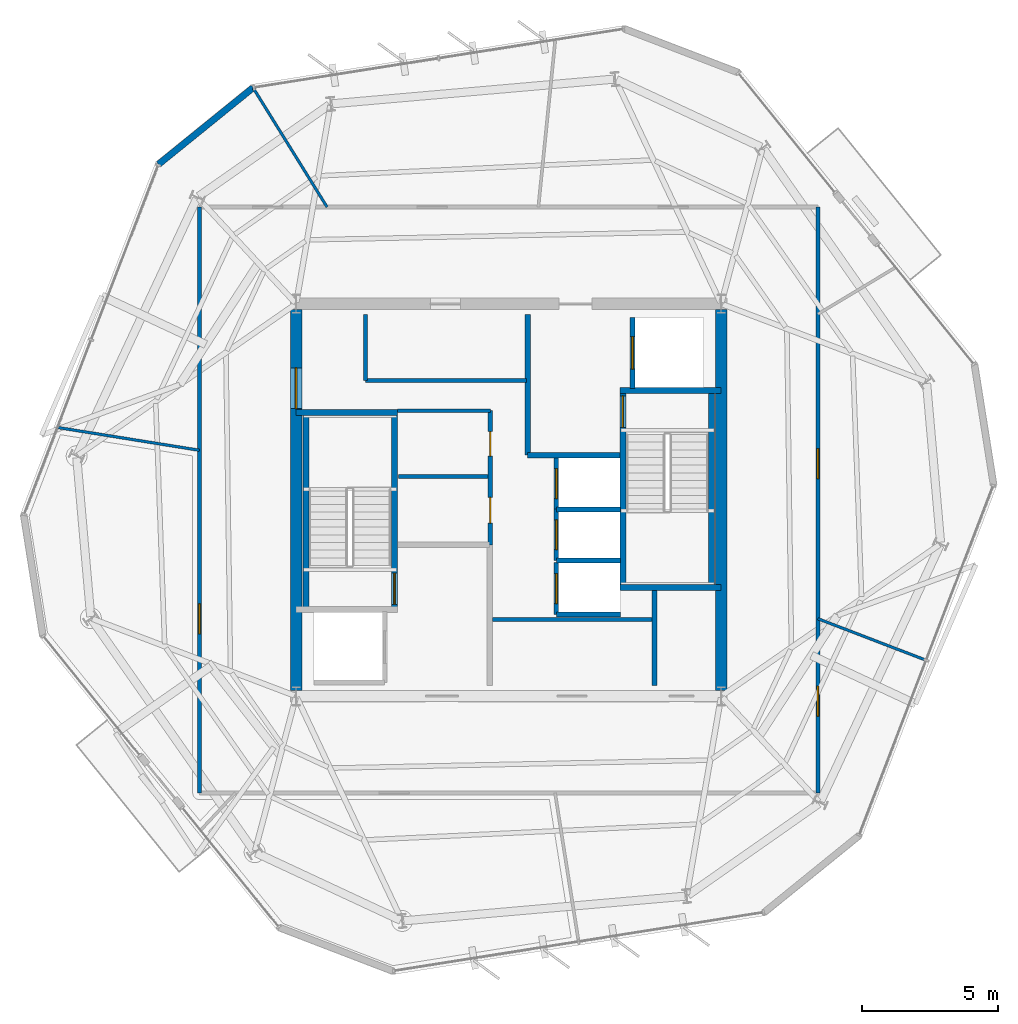
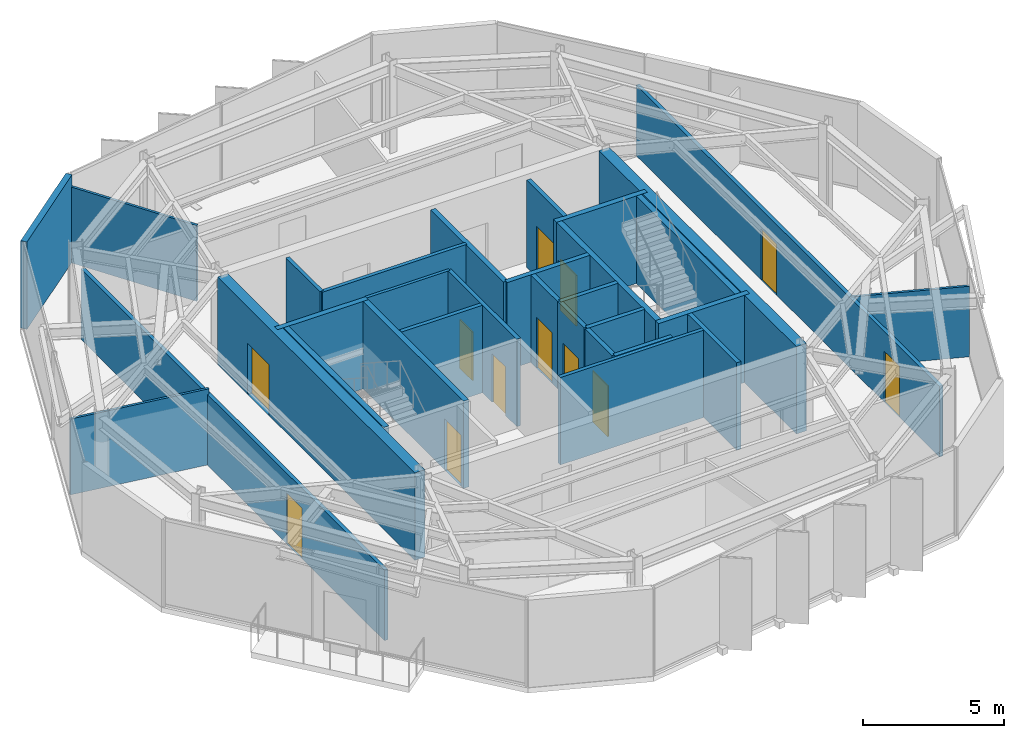
# One storey, part 7 of 10: 31 walls, 12 doors, 12 openings.
"""IFC4 building model written with IfcOpenShell, lengths in metres."""

import ifcopenshell
import ifcopenshell.guid

model = None  # the IFC model being written
_history = None  # IfcOwnerHistory: only IFC2X3 demands one
_inside = {}  # id of a spatial element -> (the spatial element, [elements in it])
_under = {}  # id of a project, library or spatial element -> (it, [spatial elements below it])
_declared = {}  # id of a project -> (the project, [libraries it declares])
_typed = {}  # id of a type object -> (the type object, [elements of that type])
_made_of = {}  # id of a material, layer set ... -> (it, [elements and type objects made of it])


def new_model(schema):
    """Start an empty IFC model of exactly this schema.

    Asked for "IFC4X3", IfcOpenShell would pick the latest addendum, in which some entities
    have other attributes; the version numbers below select the first issue.
    IFC2X3 requires an IfcOwnerHistory on every rooted entity: one is made here for all.
    """
    global model, _history
    if schema == "IFC4X3":
        model = ifcopenshell.file(schema_version=(4, 3, 0, 0))
    else:
        model = ifcopenshell.file(schema=schema)
    _inside.clear()
    _under.clear()
    _declared.clear()
    _typed.clear()
    _made_of.clear()
    _history = None
    if model.schema == "IFC2X3":
        org = make("IfcOrganization", Name="unknown")
        user = make(
            "IfcPersonAndOrganization",
            ThePerson=make("IfcPerson", FamilyName="unknown"),
            TheOrganization=org,
        )
        app = make(
            "IfcApplication",
            ApplicationDeveloper=org,
            Version="unknown",
            ApplicationFullName="unknown",
            ApplicationIdentifier="unknown",
        )
        _history = make(
            "IfcOwnerHistory",
            OwningUser=user,
            OwningApplication=app,
            ChangeAction="ADDED",
            CreationDate=0,
        )
    return model


def make(cls, **values):
    """One entity of the class cls with the attributes given. An attribute that is None is left unset."""
    return model.create_entity(
        cls, **{name: value for name, value in values.items() if value is not None}
    )


def rooted(cls, **values):
    """An entity with a GlobalId (a new one), such as an element, a storey or a relation."""
    return make(cls, GlobalId=ifcopenshell.guid.new(), OwnerHistory=_history, **values)


def si_unit(unit_type, name, prefix=None):
    """IfcSIUnit, for example si_unit("LENGTHUNIT", "METRE", prefix="MILLI")."""
    return make("IfcSIUnit", UnitType=unit_type, Prefix=prefix, Name=name)


def assignment(units):
    """IfcUnitAssignment: the units of a project."""
    return None if units is None else make("IfcUnitAssignment", Units=units)


def point(xyz):
    """IfcCartesianPoint."""
    return None if xyz is None else make("IfcCartesianPoint", Coordinates=xyz)


def direction(xyz):
    """IfcDirection."""
    return None if xyz is None else make("IfcDirection", DirectionRatios=xyz)


def frame(location, z_axis=None, x_axis=None):
    """IfcAxis2Placement3D, a coordinate frame: its origin and axes. An axis left out is left unset."""
    return make(
        "IfcAxis2Placement3D",
        Location=point(location),
        Axis=direction(z_axis),
        RefDirection=direction(x_axis),
    )


def frame_2d(location, x_axis=None):
    """IfcAxis2Placement2D, a coordinate frame in the plane: its origin and x axis."""
    return make(
        "IfcAxis2Placement2D", Location=point(location), RefDirection=direction(x_axis)
    )


def origin():
    """The frame at (0, 0, 0) with its axes left unset."""
    return frame((0.0, 0.0, 0.0))


def place(relative_to, where):
    """IfcLocalPlacement: puts the frame where relative to a parent placement (None: the world)."""
    return make(
        "IfcLocalPlacement", PlacementRelTo=relative_to, RelativePlacement=where
    )


def context(
    kind, dimensions, precision=None, world=None, true_north=None, identifier=None
):
    """IfcGeometricRepresentationContext, for example the 3D "Model" context."""
    return make(
        "IfcGeometricRepresentationContext",
        ContextIdentifier=identifier,
        ContextType=kind,
        CoordinateSpaceDimension=dimensions,
        Precision=precision,
        WorldCoordinateSystem=world,
        TrueNorth=true_north,
    )


def subcontext(parent, identifier, kind, view, scale=None):
    """IfcGeometricRepresentationSubContext, for example "Body" below "Model"."""
    return make(
        "IfcGeometricRepresentationSubContext",
        ContextIdentifier=identifier,
        ContextType=kind,
        ParentContext=parent,
        TargetScale=scale,
        TargetView=view,
    )


def project(units=None, contexts=None):
    """IfcProject with its units and contexts."""
    return rooted(
        "IfcProject",
        Name="project",
        RepresentationContexts=contexts,
        UnitsInContext=assignment(units),
    )


def spatial(cls, under=None, at=None, **own):
    """A site, building, storey or space (cls), placed at a placement, below another one or the project."""
    s = rooted(cls, ObjectPlacement=at, **own)
    if under is not None:
        _under.setdefault(under.id(), (under, []))[1].append(s)
    return s


def profile(cls, at=None, kind="AREA", **sizes):
    """A parametric profile (cls). Its sizes go by their IFC names, for example OverallWidth=200.0."""
    return make(cls, ProfileType=kind, Position=at, **sizes)


def rectangle(**sizes):
    """IfcRectangleProfileDef."""
    return profile("IfcRectangleProfileDef", **sizes)


def extrude(swept, where, along, depth):
    """IfcExtrudedAreaSolid: the profile swept, set in the frame where, extruded along a direction by depth."""
    return make(
        "IfcExtrudedAreaSolid",
        SweptArea=swept,
        Position=where,
        ExtrudedDirection=direction(along),
        Depth=depth,
    )


def shape(context_of_items, identifier, shape_type, items):
    """IfcShapeRepresentation: the items that make up one representation, for example the "Body"."""
    return make(
        "IfcShapeRepresentation",
        ContextOfItems=context_of_items,
        RepresentationIdentifier=identifier,
        RepresentationType=shape_type,
        Items=items,
    )


def material(Name=None, Category=None):
    """IfcMaterial."""
    return make("IfcMaterial", Name=Name, Category=Category)


def layer(
    of_material, thickness, ventilated=None, Name=None, Category=None, Priority=None
):
    """IfcMaterialLayer: one layer of a wall or slab, of a material (None: an air gap)."""
    return make(
        "IfcMaterialLayer",
        Material=of_material,
        LayerThickness=thickness,
        IsVentilated=ventilated,
        Name=Name,
        Category=Category,
        Priority=Priority,
    )


def layer_set(layers, Name=None):
    """IfcMaterialLayerSet."""
    return make("IfcMaterialLayerSet", MaterialLayers=layers, LayerSetName=Name)


def made_of(thing, what):
    """Note that an element or type object is made of a material, layer set ...; save() writes the relation."""
    if what is not None:
        _made_of.setdefault(what.id(), (what, []))[1].append(thing)
    return thing


def type_object(cls, material=None, **own):
    """A type object (cls), such as IfcWallType, which elements share."""
    return made_of(rooted(cls, **own), material)


def element(
    cls,
    number,
    at=None,
    inside=None,
    cuts=None,
    type_object=None,
    material=None,
    context=None,
    identifier="Body",
    shape_type=None,
    held_by="IfcProductDefinitionShape",
    body=None,
    shapes=None,
    **own,
):
    """One element of the class cls, such as IfcWall. Its Tag is "e" and its number.

    at: its placement. inside: the storey or other place that contains it. cuts: it is an
    opening in that element (IfcRelVoidsElement). A single representation is given by context,
    identifier, shape_type and body (its items); several are given by shapes. held_by: the class
    of the entity that holds the representations. save() writes the other relations.
    """
    e = rooted(cls, Tag="e%d" % number, ObjectPlacement=at, **own)
    if body is not None:
        shapes = [shape(context, identifier, shape_type, body)]
    if shapes is not None:
        e.Representation = make(held_by, Representations=shapes)
    if inside is not None:
        _inside.setdefault(inside.id(), (inside, []))[1].append(e)
    if cuts is not None:
        rooted(
            "IfcRelVoidsElement", RelatingBuildingElement=cuts, RelatedOpeningElement=e
        )
    if type_object is not None:
        _typed.setdefault(type_object.id(), (type_object, []))[1].append(e)
    return made_of(e, material)


def fill(opening, filler):
    """IfcRelFillsElement: the door or window that sits in an opening."""
    return rooted(
        "IfcRelFillsElement",
        RelatingOpeningElement=opening,
        RelatedBuildingElement=filler,
    )


def aggregate(whole, parts):
    """IfcRelAggregates: a whole, such as a stair, and the parts it consists of."""
    return rooted("IfcRelAggregates", RelatingObject=whole, RelatedObjects=parts)


def save(model, path):
    """Write the relations noted so far, then the file.

    IfcRelAggregates (storeys below a building ...), IfcRelContainedInSpatialStructure (elements
    in a storey), IfcRelDefinesByType, IfcRelAssociatesMaterial and IfcRelDeclares: one each for
    every whole, place, type object, material and project.
    """
    for whole, parts in _under.values():
        aggregate(whole, parts)
    for where, things in _inside.values():
        rooted(
            "IfcRelContainedInSpatialStructure",
            RelatedElements=things,
            RelatingStructure=where,
        )
    for kind, things in _typed.values():
        rooted("IfcRelDefinesByType", RelatedObjects=things, RelatingType=kind)
    for what, things in _made_of.values():
        rooted("IfcRelAssociatesMaterial", RelatedObjects=things, RelatingMaterial=what)
    for by, libraries in _declared.values():
        rooted("IfcRelDeclares", RelatingContext=by, RelatedDefinitions=libraries)
    model.write(path)


model = new_model("IFC4")

# Units and contexts
model_context = context("Model", 3, precision=1e-05, world=origin(), true_north=direction((0.0, 1.0)))
body_context = subcontext(model_context, "Body", "Model", "MODEL_VIEW")
ifc_project = project(units=[si_unit("LENGTHUNIT", "METRE"), si_unit("AREAUNIT", "SQUARE_METRE"), si_unit("VOLUMEUNIT", "CUBIC_METRE"), si_unit("PLANEANGLEUNIT", "RADIAN"), si_unit("MASSUNIT", "GRAM", prefix="KILO")], contexts=[model_context])

# Site, building, storey
site_placement = place(None, origin())
site = spatial("IfcSite", under=ifc_project, at=site_placement, CompositionType="ELEMENT")
building_placement = place(site_placement, origin())
building = spatial("IfcBuilding", under=site, at=building_placement, Name="Kranzbogen Civic Tower", CompositionType="ELEMENT")
storey_placement = place(building_placement, frame((0.0, 0.0, 302.199951171875)))
storey = spatial("IfcBuildingStorey", under=building, at=storey_placement, Name="L73", CompositionType="ELEMENT", Elevation=302.199951171875)

# Walls
ifc_material_1 = material(Name="Double-Stud Acoustic Gypsum Partition")
ifc_layer_1 = layer(ifc_material_1, 0.14990234375, Name="Double-Stud Acoustic Gypsum Partition")
ifc_layer_set_1 = layer_set([ifc_layer_1], Name="Double-Stud Acoustic Gypsum Partition")
wall_type_1 = type_object("IfcWallType", Name="Acoustic Corridor and Clinical Partition 150 mm", PredefinedType="PARTITIONING", material=ifc_layer_set_1)
wall_1_placement = place(storey_placement, frame((24.39990234375, 20.610107421875, 0.0), z_axis=(0.0, 0.0, 1.0), x_axis=(1.0, 0.0, 0.0)))
element("IfcWall", 1, at=wall_1_placement, inside=storey, type_object=wall_type_1, Name="L73 records zone North wall", PredefinedType="PARTITIONING", context=body_context, shape_type="SweptSolid", body=[
    extrude(rectangle(XDim=5.900146484375, YDim=0.14990234375, at=frame_2d((2.9501953125, 0.0))), origin(), (0.0, 0.0, 1.0), 3.780029296875),
])
wall_2_placement = place(storey_placement, frame((19.75, 29.389892578125, 0.0), z_axis=(0.0, 0.0, 1.0), x_axis=(1.0, 0.0, 0.0)))
element("IfcWall", 2, at=wall_2_placement, inside=storey, type_object=wall_type_1, Name="L73 digital comms South wall", PredefinedType="PARTITIONING", context=body_context, shape_type="SweptSolid", body=[
    extrude(rectangle(XDim=5.89990234375, YDim=0.14990234375, at=frame_2d((2.949951171875, 0.0))), origin(), (0.0, 0.0, 1.0), 3.780029296875),
])
wall_3_placement = place(storey_placement, frame((19.75, 29.389892578125, 0.0), z_axis=(0.0, 0.0, 1.0), x_axis=(0.0, 1.0, 0.0)))
element("IfcWall", 3, at=wall_3_placement, inside=storey, type_object=wall_type_1, Name="L73 digital comms West wall", PredefinedType="PARTITIONING", context=body_context, shape_type="SweptSolid", body=[
    extrude(rectangle(XDim=2.41015625, YDim=0.14990234375, at=frame_2d((1.205078125, 0.0))), origin(), (0.0, 0.0, 1.0), 3.780029296875),
])

# Wall, openings, doors
wall_4_placement = place(storey_placement, frame((36.35009765625, 35.75, 0.0), z_axis=(0.0, 0.0, 1.0), x_axis=(0.0, -1.0, 0.0)))
wall_4 = element("IfcWall", 4, at=wall_4_placement, inside=storey, type_object=wall_type_1, Name="L73 corridor partition 02", PredefinedType="PARTITIONING", context=body_context, shape_type="SweptSolid", body=[
    extrude(rectangle(XDim=21.5, YDim=0.14990234375, at=frame_2d((10.75, 0.0))), origin(), (0.0, 0.0, 1.0), 3.050048828125),
])
opening_1_placement = place(wall_4_placement, frame((17.5849609375, 0.0, 0.0)))
opening_1 = element("IfcOpeningElement", 5, at=opening_1_placement, cuts=wall_4, Name="Opening D-COR60", PredefinedType="OPENING", context=body_context, shape_type="SweptSolid", body=[
    extrude(rectangle(XDim=1.10009765625, YDim=2.199951171875, at=frame_2d((0.550048828125, 1.10009765625))), frame((0.0, 0.0849609375, 0.0), z_axis=(0.0, -1.0, 0.0), x_axis=(1.0, 0.0, 0.0)), (0.0, 0.0, 1.0), 0.169921875),
])
opening_2_placement = place(wall_4_placement, frame((8.867919921875, 0.0, 0.0)))
opening_2 = element("IfcOpeningElement", 6, at=opening_2_placement, cuts=wall_4, Name="Opening D-COR60", PredefinedType="OPENING", context=body_context, shape_type="SweptSolid", body=[
    extrude(rectangle(XDim=1.10009765625, YDim=2.199951171875, at=frame_2d((0.550048828125, 1.10009765625))), frame((0.0, 0.0849609375, 0.0), z_axis=(0.0, -1.0, 0.0), x_axis=(1.0, 0.0, 0.0)), (0.0, 0.0, 1.0), 0.169921875),
])
ifc_material_2 = material(Name="Oak Timber and Fire Core", Category="wood")
door_type_1 = type_object("IfcDoorType", Name="Corridor Acoustic Fire Door 1100x2200", OperationType="NOTDEFINED", PredefinedType="DOOR", material=ifc_material_2)
door_1_placement = place(opening_1_placement, origin())
door_1 = element("IfcDoor", 7, at=door_1_placement, inside=storey, type_object=door_type_1, Name="L73 Protocol Entrance Reception door", OperationType="SINGLE_SWING_RIGHT", OverallHeight=2.199951171875, OverallWidth=1.10009765625, PredefinedType="DOOR", context=body_context, shape_type="SweptSolid", body=[
    extrude(rectangle(XDim=1.10009765625, YDim=2.199951171875, at=frame_2d((0.550048828125, 1.10009765625))), frame((0.0, 0.02490234375, 0.0), z_axis=(0.0, -1.0, 0.0), x_axis=(1.0, 0.0, 0.0)), (0.0, 0.0, 1.0), 0.050048828125),
])
fill(opening_1, door_1)
door_2_placement = place(opening_2_placement, origin())
door_2 = element("IfcDoor", 8, at=door_2_placement, inside=storey, type_object=door_type_1, Name="L73 Citizen Services Kiosk door", OperationType="SINGLE_SWING_LEFT", OverallHeight=2.199951171875, OverallWidth=1.10009765625, PredefinedType="DOOR", context=body_context, shape_type="SweptSolid", body=[
    extrude(rectangle(XDim=1.10009765625, YDim=2.199951171875, at=frame_2d((0.550048828125, 1.10009765625))), frame((0.0, 0.02490234375, 0.0), z_axis=(0.0, -1.0, 0.0), x_axis=(1.0, 0.0, 0.0)), (0.0, 0.0, 1.0), 0.050048828125),
])
fill(opening_2, door_2)

# Wall, opening, door
wall_5_placement = place(storey_placement, frame((13.64990234375, 14.25, 0.0), z_axis=(0.0, 0.0, 1.0), x_axis=(0.0, 1.0, 0.0)))
wall_5 = element("IfcWall", 9, at=wall_5_placement, inside=storey, type_object=wall_type_1, Name="L73 corridor partition 04", PredefinedType="PARTITIONING", context=body_context, shape_type="SweptSolid", body=[
    extrude(rectangle(XDim=21.5, YDim=0.14990234375, at=frame_2d((10.75, 0.0))), origin(), (0.0, 0.0, 1.0), 3.050048828125),
])
opening_3_placement = place(wall_5_placement, frame((5.8369140625, 0.0, 0.0)))
opening_3 = element("IfcOpeningElement", 10, at=opening_3_placement, cuts=wall_5, Name="Opening D-COR60", PredefinedType="OPENING", context=body_context, shape_type="SweptSolid", body=[
    extrude(rectangle(XDim=1.10009765625, YDim=2.199951171875, at=frame_2d((0.550048828125, 1.10009765625))), frame((0.0, 0.0849609375, 0.0), z_axis=(0.0, -1.0, 0.0), x_axis=(1.0, 0.0, 0.0)), (0.0, 0.0, 1.0), 0.169921875),
])
door_3_placement = place(opening_3_placement, origin())
door_3 = element("IfcDoor", 11, at=door_3_placement, inside=storey, type_object=door_type_1, Name="L73 Public Delegation Reception door", OperationType="SINGLE_SWING_RIGHT", OverallHeight=2.199951171875, OverallWidth=1.10009765625, PredefinedType="DOOR", context=body_context, shape_type="SweptSolid", body=[
    extrude(rectangle(XDim=1.10009765625, YDim=2.199951171875, at=frame_2d((0.550048828125, 1.10009765625))), frame((0.0, 0.02490234375, 0.0), z_axis=(0.0, -1.0, 0.0), x_axis=(1.0, 0.0, 0.0)), (0.0, 0.0, 1.0), 0.050048828125),
])
fill(opening_3, door_3)

# Wall
ifc_material_3 = material(Name="Insulated Metal-Stud Gypsum Partition")
ifc_layer_2 = layer(ifc_material_3, 0.125, Name="Insulated Metal-Stud Gypsum Partition")
ifc_layer_set_2 = layer_set([ifc_layer_2], Name="Insulated Metal-Stud Gypsum Partition")
wall_type_2 = type_object("IfcWallType", Name="Acoustic Inter-Room Partition 125 mm", PredefinedType="PARTITIONING", material=ifc_layer_set_2)
wall_6_placement = place(storey_placement, frame((20.919921875, 28.280029296875, 0.0), z_axis=(0.0, 0.0, 1.0), x_axis=(1.0, 0.0, 0.0)))
element("IfcWall", 12, at=wall_6_placement, inside=storey, type_object=wall_type_2, Name="L73 core auxiliary North wall", PredefinedType="PARTITIONING", context=body_context, shape_type="SweptSolid", body=[
    extrude(rectangle(XDim=3.405029296875, YDim=0.125, at=frame_2d((1.70263671875, 0.0))), origin(), (0.0, 0.0, 1.0), 3.780029296875),
])

# Wall, opening, door
ifc_material_4 = material(Name="Concrete C45/55", Category="concrete")
ifc_layer_3 = layer(ifc_material_4, 0.419921875, Name="Concrete C45/55")
ifc_layer_set_3 = layer_set([ifc_layer_3], Name="Concrete C45/55")
wall_type_3 = type_object("IfcWallType", Name="Central Core Shear Wall 420 mm", PredefinedType="SHEAR", material=ifc_layer_set_3)
wall_7_placement = place(storey_placement, frame((17.199951171875, 31.989990234375, 0.0), z_axis=(0.0, 0.0, 1.0), x_axis=(0.0, -1.0, 0.0)))
wall_7 = element("IfcWall", 13, at=wall_7_placement, inside=storey, type_object=wall_type_3, Name="L73 central core West shear wall", PredefinedType="SHEAR", context=body_context, shape_type="SweptSolid", body=[
    extrude(rectangle(XDim=13.97998046875, YDim=0.419921875, at=frame_2d((6.989990234375, 0.0))), origin(), (0.0, 0.0, 1.0), 3.780029296875),
])
opening_4_placement = place(wall_7_placement, frame((2.139892578125, 0.0, 0.0)))
opening_4 = element("IfcOpeningElement", 14, at=opening_4_placement, cuts=wall_7, Name="Opening D-DBL15", PredefinedType="OPENING", context=body_context, shape_type="SweptSolid", body=[
    extrude(rectangle(XDim=1.5, YDim=2.199951171875, at=frame_2d((0.75, 1.10009765625))), frame((0.0, 0.219970703125, 0.0), z_axis=(0.0, -1.0, 0.0), x_axis=(1.0, 0.0, 0.0)), (0.0, 0.0, 1.0), 0.43994140625),
])
ifc_material_5 = material(Name="Anodised Bronze and Glass", Category="glass")
door_type_2 = type_object("IfcDoorType", Name="Civic Lobby Double Door 1500x2200", OperationType="DOUBLE_DOOR_SINGLE_SWING", PredefinedType="DOOR", material=ifc_material_5)
door_4_placement = place(opening_4_placement, origin())
door_4 = element("IfcDoor", 15, at=door_4_placement, inside=storey, type_object=door_type_2, Name="L73 Central Lift Lobby West concourse door", OperationType="DOUBLE_DOOR_SINGLE_SWING", OverallHeight=2.199951171875, OverallWidth=1.5, PredefinedType="DOOR", context=body_context, shape_type="SweptSolid", body=[
    extrude(rectangle(XDim=1.5, YDim=2.199951171875, at=frame_2d((0.75, 1.10009765625))), frame((0.0, 0.02490234375, 0.0), z_axis=(0.0, -1.0, 0.0), x_axis=(1.0, 0.0, 0.0)), (0.0, 0.0, 1.0), 0.050048828125),
])
fill(opening_4, door_4)

# Wall
wall_8_placement = place(storey_placement, frame((32.800048828125, 18.010009765625, 0.0), z_axis=(0.0, 0.0, 1.0), x_axis=(0.0, 1.0, 0.0)))
element("IfcWall", 16, at=wall_8_placement, inside=storey, type_object=wall_type_3, Name="L73 central core East shear wall", PredefinedType="SHEAR", context=body_context, shape_type="SweptSolid", body=[
    extrude(rectangle(XDim=13.97998046875, YDim=0.419921875, at=frame_2d((6.989990234375, 0.0))), origin(), (0.0, 0.0, 1.0), 3.780029296875),
])

# Wall, opening, door
ifc_layer_4 = layer(ifc_material_4, 0.219970703125, Name="Concrete C45/55")
ifc_layer_set_4 = layer_set([ifc_layer_4], Name="Concrete C45/55")
wall_type_4 = type_object("IfcWallType", Name="Core Internal Stair Structural Wall 220 mm", PredefinedType="SOLIDWALL", material=ifc_layer_set_4)
wall_9_placement = place(storey_placement, frame((20.81005859375, 20.989990234375, 0.0), z_axis=(0.0, 0.0, 1.0), x_axis=(0.0, 1.0, 0.0)))
wall_9 = element("IfcWall", 17, at=wall_9_placement, inside=storey, type_object=wall_type_4, Name="L73 ST-T1 East structural stair wall", PredefinedType="SOLIDWALL", context=body_context, shape_type="SweptSolid", body=[
    extrude(rectangle(XDim=7.219970703125, YDim=0.219970703125, at=frame_2d((3.60986328125, 0.0))), origin(), (0.0, 0.0, 1.0), 3.780029296875),
])
opening_5_placement = place(wall_9_placement, frame((0.179931640625, 0.0, 0.0)))
opening_5 = element("IfcOpeningElement", 18, at=opening_5_placement, cuts=wall_9, Name="Opening D-ST90", PredefinedType="OPENING", context=body_context, shape_type="SweptSolid", body=[
    extrude(rectangle(XDim=1.14990234375, YDim=2.199951171875, at=frame_2d((0.574951171875, 1.10009765625))), frame((0.0, 0.1201171875, 0.0), z_axis=(0.0, -1.0, 0.0), x_axis=(1.0, 0.0, 0.0)), (0.0, 0.0, 1.0), 0.239990234375),
])
ifc_material_6 = material(Name="Steel S355", Category="steel")
door_type_3 = type_object("IfcDoorType", Name="Pressurized Stair and Lobby Fire Door 1150x2200", OperationType="NOTDEFINED", PredefinedType="DOOR", material=ifc_material_6)
door_5_placement = place(opening_5_placement, origin())
door_5 = element("IfcDoor", 19, at=door_5_placement, inside=storey, type_object=door_type_3, Name="L73 Stair ST-T1 fire door", OperationType="SINGLE_SWING_LEFT", OverallHeight=2.199951171875, OverallWidth=1.14990234375, PredefinedType="DOOR", context=body_context, shape_type="SweptSolid", body=[
    extrude(rectangle(XDim=1.14990234375, YDim=2.199951171875, at=frame_2d((0.574951171875, 1.10009765625))), frame((0.0, 0.02490234375, 0.0), z_axis=(0.0, -1.0, 0.0), x_axis=(1.0, 0.0, 0.0)), (0.0, 0.0, 1.0), 0.050048828125),
])
fill(opening_5, door_5)

# Walls
wall_10_placement = place(storey_placement, frame((17.199951171875, 28.2099609375, 0.0), z_axis=(0.0, 0.0, 1.0), x_axis=(1.0, 0.0, 0.0)))
element("IfcWall", 20, at=wall_10_placement, inside=storey, type_object=wall_type_4, Name="L73 ST-T1 North structural stair wall", PredefinedType="SOLIDWALL", context=body_context, shape_type="SweptSolid", body=[
    extrude(rectangle(XDim=3.719970703125, YDim=0.219970703125, at=frame_2d((1.85986328125, 0.0))), origin(), (0.0, 0.0, 1.0), 3.780029296875),
])
wall_11_placement = place(storey_placement, frame((17.554931640625, 28.2099609375, 0.0), z_axis=(0.0, 0.0, 1.0), x_axis=(0.0, -1.0, 0.0)))
element("IfcWall", 21, at=wall_11_placement, inside=storey, type_object=wall_type_4, Name="L73 ST-T1 West structural stair wall", PredefinedType="SOLIDWALL", context=body_context, shape_type="SweptSolid", body=[
    extrude(rectangle(XDim=7.219970703125, YDim=0.219970703125, at=frame_2d((3.60986328125, 0.0))), origin(), (0.0, 0.0, 1.0), 3.780029296875),
])

# Wall, opening, door
wall_12_placement = place(storey_placement, frame((29.18994140625, 21.7900390625, 0.0), z_axis=(0.0, 0.0, 1.0), x_axis=(0.0, 1.0, 0.0)))
wall_12 = element("IfcWall", 22, at=wall_12_placement, inside=storey, type_object=wall_type_4, Name="L73 ST-T2 West structural stair wall", PredefinedType="SOLIDWALL", context=body_context, shape_type="SweptSolid", body=[
    extrude(rectangle(XDim=7.219970703125, YDim=0.219970703125, at=frame_2d((3.60986328125, 0.0))), origin(), (0.0, 0.0, 1.0), 3.780029296875),
])
opening_6_placement = place(wall_12_placement, frame((5.8798828125, 0.0, 0.0)))
opening_6 = element("IfcOpeningElement", 23, at=opening_6_placement, cuts=wall_12, Name="Opening D-ST90", PredefinedType="OPENING", context=body_context, shape_type="SweptSolid", body=[
    extrude(rectangle(XDim=1.14990234375, YDim=2.199951171875, at=frame_2d((0.574951171875, 1.10009765625))), frame((0.0, 0.1201171875, 0.0), z_axis=(0.0, -1.0, 0.0), x_axis=(1.0, 0.0, 0.0)), (0.0, 0.0, 1.0), 0.239990234375),
])
door_6_placement = place(opening_6_placement, origin())
door_6 = element("IfcDoor", 24, at=door_6_placement, inside=storey, type_object=door_type_3, Name="L73 Stair ST-T2 fire door", OperationType="SINGLE_SWING_RIGHT", OverallHeight=2.199951171875, OverallWidth=1.14990234375, PredefinedType="DOOR", context=body_context, shape_type="SweptSolid", body=[
    extrude(rectangle(XDim=1.14990234375, YDim=2.199951171875, at=frame_2d((0.574951171875, 1.10009765625))), frame((0.0, 0.02490234375, 0.0), z_axis=(0.0, -1.0, 0.0), x_axis=(1.0, 0.0, 0.0)), (0.0, 0.0, 1.0), 0.050048828125),
])
fill(opening_6, door_6)

# Walls
for number, where, z_axis, x_axis, name in (
    (25, (29.080078125, 21.7900390625, 0.0), (0.0, 0.0, 1.0), (1.0, 0.0, 0.0), "L73 ST-T2 South structural stair wall"),
    (26, (29.080078125, 29.010009765625, 0.0), (0.0, 0.0, 1.0), (1.0, 0.0, 0.0), "L73 ST-T2 North structural stair wall"),
):
    element("IfcWall", number, at=place(storey_placement, frame(where, z_axis=z_axis, x_axis=x_axis)), inside=storey, type_object=wall_type_4, Name=name, PredefinedType="SOLIDWALL", context=body_context, shape_type="SweptSolid", body=[
        extrude(rectangle(XDim=3.719970703125, YDim=0.219970703125, at=frame_2d((1.85986328125, 0.0))), origin(), (0.0, 0.0, 1.0), 3.780029296875),
    ])
wall_13_placement = place(storey_placement, frame((32.445068359375, 29.010009765625, 0.0), z_axis=(0.0, 0.0, 1.0), x_axis=(0.0, -1.0, 0.0)))
element("IfcWall", 27, at=wall_13_placement, inside=storey, type_object=wall_type_4, Name="L73 ST-T2 East structural stair wall", PredefinedType="SOLIDWALL", context=body_context, shape_type="SweptSolid", body=[
    extrude(rectangle(XDim=7.219970703125, YDim=0.219970703125, at=frame_2d((3.60986328125, 0.0))), origin(), (0.0, 0.0, 1.0), 3.780029296875),
])
ifc_material_7 = material(Name="Demountable Aluminium and Gypsum Partition", Category="aluminium")
ifc_layer_5 = layer(ifc_material_7, 0.10009765625, Name="Demountable Aluminium and Gypsum Partition")
ifc_layer_set_5 = layer_set([ifc_layer_5], Name="Demountable Aluminium and Gypsum Partition")
wall_type_5 = type_object("IfcWallType", Name="Demountable Office Partition 100 mm", PredefinedType="MOVABLE", material=ifc_layer_set_5)
wall_14_placement = place(storey_placement, frame((18.3359375, 35.75, 0.0), z_axis=(0.0, 0.0, 1.0), x_axis=(-0.526958206405, 0.849891198155, 0.0)))
element("IfcWall", 28, at=wall_14_placement, inside=storey, type_object=wall_type_5, Name="L73 radial room partition 01", PredefinedType="MOVABLE", context=body_context, shape_type="SweptSolid", body=[
    extrude(rectangle(XDim=5.13720703125, YDim=0.10009765625, at=frame_2d((2.568603515625, 0.0))), origin(), (0.0, 0.0, 1.0), 3.280029296875),
])
wall_15_placement = place(storey_placement, frame((13.64990234375, 26.824951171875, 0.0), z_axis=(0.0, 0.0, 1.0), x_axis=(-0.987343097262, 0.158598891199, 0.0)))
element("IfcWall", 29, at=wall_15_placement, inside=storey, type_object=wall_type_5, Name="L73 radial room partition 02", PredefinedType="MOVABLE", context=body_context, shape_type="SweptSolid", body=[
    extrude(rectangle(XDim=5.258544921875, YDim=0.10009765625, at=frame_2d((2.62939453125, 0.0))), origin(), (0.0, 0.0, 1.0), 3.280029296875),
])
wall_16_placement = place(storey_placement, frame((36.35009765625, 20.64306640625, 0.0), z_axis=(0.0, 0.0, 1.0), x_axis=(0.933566635169, -0.358403875117, 0.0)))
element("IfcWall", 30, at=wall_16_placement, inside=storey, type_object=wall_type_5, Name="L73 radial room partition 05", PredefinedType="MOVABLE", context=body_context, shape_type="SweptSolid", body=[
    extrude(rectangle(XDim=4.23828125, YDim=0.10009765625, at=frame_2d((2.119140625, 0.0))), origin(), (0.0, 0.0, 1.0), 3.050048828125),
])
ifc_material_8 = material(Name="Gypsum Fireboard and Concrete Block", Category="concrete")
ifc_layer_6 = layer(ifc_material_8, 0.199951171875, Name="Gypsum Fireboard and Concrete Block")
ifc_layer_set_6 = layer_set([ifc_layer_6], Name="Gypsum Fireboard and Concrete Block")
wall_type_6 = type_object("IfcWallType", Name="Fire-Rated Exit Passageway and Stair Wall 200 mm", PredefinedType="PARTITIONING", material=ifc_layer_set_6)
wall_17_placement = place(storey_placement, frame((25.699951171875, 26.64990234375, 0.0), z_axis=(0.0, 0.0, 1.0), x_axis=(0.0, 1.0, 0.0)))
element("IfcWall", 31, at=wall_17_placement, inside=storey, type_object=wall_type_6, Name="L73 East firefighting lobby West wall", PredefinedType="PARTITIONING", context=body_context, shape_type="SweptSolid", body=[
    extrude(rectangle(XDim=5.150146484375, YDim=0.199951171875, at=frame_2d((2.5751953125, 0.0))), origin(), (0.0, 0.0, 1.0), 3.780029296875),
])
wall_18_placement = place(storey_placement, frame((25.699951171875, 26.64990234375, 0.0), z_axis=(0.0, 0.0, 1.0), x_axis=(1.0, 0.0, 0.0)))
element("IfcWall", 32, at=wall_18_placement, inside=storey, type_object=wall_type_6, Name="L73 East firefighting lobby South wall", PredefinedType="PARTITIONING", context=body_context, shape_type="SweptSolid", body=[
    extrude(rectangle(XDim=3.380126953125, YDim=0.199951171875, at=frame_2d((1.68994140625, 0.0))), origin(), (0.0, 0.0, 1.0), 3.780029296875),
])
ifc_material_9 = material(Name="Gypsum Fireboard Shaftliner")
ifc_layer_7 = layer(ifc_material_9, 0.175048828125, Name="Gypsum Fireboard Shaftliner")
ifc_layer_set_7 = layer_set([ifc_layer_7], Name="Gypsum Fireboard Shaftliner")
wall_type_7 = type_object("IfcWallType", Name="Fire-Rated Lift and Service Shaft Wall 175 mm", PredefinedType="PARTITIONING", material=ifc_layer_set_7)
wall_19_placement = place(storey_placement, frame((30.35009765625, 18.199951171875, 0.0), z_axis=(0.0, 0.0, 1.0), x_axis=(0.0, 1.0, 0.0)))
element("IfcWall", 33, at=wall_19_placement, inside=storey, type_object=wall_type_7, Name="L73 East core riser West wall", PredefinedType="PARTITIONING", context=body_context, shape_type="SweptSolid", body=[
    extrude(rectangle(XDim=3.47998046875, YDim=0.175048828125, at=frame_2d((1.739990234375, 0.0))), origin(), (0.0, 0.0, 1.0), 3.780029296875),
])

# Wall, opening, door
wall_20_placement = place(storey_placement, frame((26.75, 20.800048828125, 0.0), z_axis=(0.0, 0.0, 1.0), x_axis=(0.0, 1.0, 0.0)))
wall_20 = element("IfcWall", 34, at=wall_20_placement, inside=storey, type_object=wall_type_7, Name="L73 lift HP-01 landing wall", PredefinedType="PARTITIONING", context=body_context, shape_type="SweptSolid", body=[
    extrude(rectangle(XDim=1.89990234375, YDim=0.175048828125, at=frame_2d((0.949951171875, 0.0))), origin(), (0.0, 0.0, 1.0), 3.780029296875),
])
opening_7_placement = place(wall_20_placement, frame((0.39990234375, 0.0, 0.0)))
opening_7 = element("IfcOpeningElement", 35, at=opening_7_placement, cuts=wall_20, Name="Opening LD-HP-01", PredefinedType="OPENING", context=body_context, shape_type="SweptSolid", body=[
    extrude(rectangle(XDim=1.10009765625, YDim=2.199951171875, at=frame_2d((0.550048828125, 1.10009765625))), frame((0.0, 0.09765625, 0.0), z_axis=(0.0, -1.0, 0.0), x_axis=(1.0, 0.0, 0.0)), (0.0, 0.0, 1.0), 0.195068359375),
])
ifc_material_10 = material(Name="Pale Anodised Aluminium", Category="aluminium")
door_type_4 = type_object("IfcDoorType", Name="Passenger Lift Sliding Landing Door 1100x2200", OperationType="DOUBLE_DOOR_SLIDING", PredefinedType="DOOR", material=ifc_material_10)
door_7_placement = place(opening_7_placement, origin())
door_7 = element("IfcDoor", 36, at=door_7_placement, inside=storey, type_object=door_type_4, Name="L73 lift HP-01 sliding landing door", OperationType="DOUBLE_DOOR_SLIDING", OverallHeight=2.199951171875, OverallWidth=1.10009765625, PredefinedType="DOOR", context=body_context, shape_type="SweptSolid", body=[
    extrude(rectangle(XDim=1.10009765625, YDim=2.199951171875, at=frame_2d((0.550048828125, 1.10009765625))), frame((0.0, 0.02490234375, 0.0), z_axis=(0.0, -1.0, 0.0), x_axis=(1.0, 0.0, 0.0)), (0.0, 0.0, 1.0), 0.050048828125),
])
fill(opening_7, door_7)

# Wall
wall_21_placement = place(storey_placement, frame((26.75, 20.800048828125, 0.0), z_axis=(0.0, 0.0, 1.0), x_axis=(1.0, 0.0, 0.0)))
element("IfcWall", 37, at=wall_21_placement, inside=storey, type_object=wall_type_7, Name="L73 lift HP-01 side wall", PredefinedType="PARTITIONING", context=body_context, shape_type="SweptSolid", body=[
    extrude(rectangle(XDim=2.35009765625, YDim=0.175048828125, at=frame_2d((1.175048828125, 0.0))), origin(), (0.0, 0.0, 1.0), 3.780029296875),
])

# Wall, opening, door
wall_22_placement = place(storey_placement, frame((26.75, 22.77490234375, 0.0), z_axis=(0.0, 0.0, 1.0), x_axis=(0.0, 1.0, 0.0)))
wall_22 = element("IfcWall", 38, at=wall_22_placement, inside=storey, type_object=wall_type_7, Name="L73 lift HP-02 landing wall", PredefinedType="PARTITIONING", context=body_context, shape_type="SweptSolid", body=[
    extrude(rectangle(XDim=1.900146484375, YDim=0.175048828125, at=frame_2d((0.9501953125, 0.0))), origin(), (0.0, 0.0, 1.0), 3.780029296875),
])
opening_8_placement = place(wall_22_placement, frame((0.39990234375, 0.0, 0.0)))
opening_8 = element("IfcOpeningElement", 39, at=opening_8_placement, cuts=wall_22, Name="Opening LD-HP-02", PredefinedType="OPENING", context=body_context, shape_type="SweptSolid", body=[
    extrude(rectangle(XDim=1.10009765625, YDim=2.199951171875, at=frame_2d((0.550048828125, 1.10009765625))), frame((0.0, 0.09765625, 0.0), z_axis=(0.0, -1.0, 0.0), x_axis=(1.0, 0.0, 0.0)), (0.0, 0.0, 1.0), 0.195068359375),
])
door_8_placement = place(opening_8_placement, origin())
door_8 = element("IfcDoor", 40, at=door_8_placement, inside=storey, type_object=door_type_4, Name="L73 lift HP-02 sliding landing door", OperationType="DOUBLE_DOOR_SLIDING", OverallHeight=2.199951171875, OverallWidth=1.10009765625, PredefinedType="DOOR", context=body_context, shape_type="SweptSolid", body=[
    extrude(rectangle(XDim=1.10009765625, YDim=2.199951171875, at=frame_2d((0.550048828125, 1.10009765625))), frame((0.0, 0.02490234375, 0.0), z_axis=(0.0, -1.0, 0.0), x_axis=(1.0, 0.0, 0.0)), (0.0, 0.0, 1.0), 0.050048828125),
])
fill(opening_8, door_8)

# Wall
wall_23_placement = place(storey_placement, frame((26.75, 22.77490234375, 0.0), z_axis=(0.0, 0.0, 1.0), x_axis=(1.0, 0.0, 0.0)))
element("IfcWall", 41, at=wall_23_placement, inside=storey, type_object=wall_type_7, Name="L73 lift HP-02 side wall", PredefinedType="PARTITIONING", context=body_context, shape_type="SweptSolid", body=[
    extrude(rectangle(XDim=2.35009765625, YDim=0.175048828125, at=frame_2d((1.175048828125, 0.0))), origin(), (0.0, 0.0, 1.0), 3.780029296875),
])

# Wall, opening, door
wall_24_placement = place(storey_placement, frame((26.75, 24.64990234375, 0.0), z_axis=(0.0, 0.0, 1.0), x_axis=(0.0, 1.0, 0.0)))
wall_24 = element("IfcWall", 42, at=wall_24_placement, inside=storey, type_object=wall_type_7, Name="L73 lift HP-03 landing wall", PredefinedType="PARTITIONING", context=body_context, shape_type="SweptSolid", body=[
    extrude(rectangle(XDim=1.900146484375, YDim=0.175048828125, at=frame_2d((0.9501953125, 0.0))), origin(), (0.0, 0.0, 1.0), 3.780029296875),
])
opening_9_placement = place(wall_24_placement, frame((0.39990234375, 0.0, 0.0)))
opening_9 = element("IfcOpeningElement", 43, at=opening_9_placement, cuts=wall_24, Name="Opening LD-HP-03", PredefinedType="OPENING", context=body_context, shape_type="SweptSolid", body=[
    extrude(rectangle(XDim=1.10009765625, YDim=2.199951171875, at=frame_2d((0.550048828125, 1.10009765625))), frame((0.0, 0.09765625, 0.0), z_axis=(0.0, -1.0, 0.0), x_axis=(1.0, 0.0, 0.0)), (0.0, 0.0, 1.0), 0.195068359375),
])
door_9_placement = place(opening_9_placement, origin())
door_9 = element("IfcDoor", 44, at=door_9_placement, inside=storey, type_object=door_type_4, Name="L73 lift HP-03 sliding landing door", OperationType="DOUBLE_DOOR_SLIDING", OverallHeight=2.199951171875, OverallWidth=1.10009765625, PredefinedType="DOOR", context=body_context, shape_type="SweptSolid", body=[
    extrude(rectangle(XDim=1.10009765625, YDim=2.199951171875, at=frame_2d((0.550048828125, 1.10009765625))), frame((0.0, 0.02490234375, 0.0), z_axis=(0.0, -1.0, 0.0), x_axis=(1.0, 0.0, 0.0)), (0.0, 0.0, 1.0), 0.050048828125),
])
fill(opening_9, door_9)

# Wall
wall_25_placement = place(storey_placement, frame((26.75, 24.64990234375, 0.0), z_axis=(0.0, 0.0, 1.0), x_axis=(1.0, 0.0, 0.0)))
element("IfcWall", 45, at=wall_25_placement, inside=storey, type_object=wall_type_7, Name="L73 lift HP-03 side wall", PredefinedType="PARTITIONING", context=body_context, shape_type="SweptSolid", body=[
    extrude(rectangle(XDim=2.35009765625, YDim=0.175048828125, at=frame_2d((1.175048828125, 0.0))), origin(), (0.0, 0.0, 1.0), 3.780029296875),
])

# Wall, opening, door
wall_26_placement = place(storey_placement, frame((29.550048828125, 29.10009765625, 0.0), z_axis=(0.0, 0.0, 1.0), x_axis=(0.0, 1.0, 0.0)))
wall_26 = element("IfcWall", 46, at=wall_26_placement, inside=storey, type_object=wall_type_7, Name="L73 lift FF-02 landing wall", PredefinedType="PARTITIONING", context=body_context, shape_type="SweptSolid", body=[
    extrude(rectangle(XDim=2.599853515625, YDim=0.175048828125, at=frame_2d((1.2998046875, 0.0))), origin(), (0.0, 0.0, 1.0), 3.780029296875),
])
opening_10_placement = place(wall_26_placement, frame((0.699951171875, 0.0, 0.0)))
opening_10 = element("IfcOpeningElement", 47, at=opening_10_placement, cuts=wall_26, Name="Opening LD-FF-02", PredefinedType="OPENING", context=body_context, shape_type="SweptSolid", body=[
    extrude(rectangle(XDim=1.199951171875, YDim=2.199951171875, at=frame_2d((0.60009765625, 1.10009765625))), frame((0.0, 0.09765625, 0.0), z_axis=(0.0, -1.0, 0.0), x_axis=(1.0, 0.0, 0.0)), (0.0, 0.0, 1.0), 0.195068359375),
])
door_type_5 = type_object("IfcDoorType", Name="Firefighting and Stretcher Lift Sliding Landing Door 1200x2200", OperationType="DOUBLE_DOOR_SLIDING", PredefinedType="DOOR", material=ifc_material_10)
door_10_placement = place(opening_10_placement, origin())
door_10 = element("IfcDoor", 48, at=door_10_placement, inside=storey, type_object=door_type_5, Name="L73 lift FF-02 sliding landing door", OperationType="DOUBLE_DOOR_SLIDING", OverallHeight=2.199951171875, OverallWidth=1.199951171875, PredefinedType="DOOR", context=body_context, shape_type="SweptSolid", body=[
    extrude(rectangle(XDim=1.199951171875, YDim=2.199951171875, at=frame_2d((0.60009765625, 1.10009765625))), frame((0.0, 0.02490234375, 0.0), z_axis=(0.0, -1.0, 0.0), x_axis=(1.0, 0.0, 0.0)), (0.0, 0.0, 1.0), 0.050048828125),
])
fill(opening_10, door_10)

# Wall
ifc_layer_8 = layer(ifc_material_10, 0.239990234375, Name="Pale Anodised Aluminium")
ifc_layer_set_8 = layer_set([ifc_layer_8], Name="Pale Anodised Aluminium")
wall_type_8 = type_object("IfcWallType", Name="Insulated Aluminium Facade Portal Wall 240 mm", PredefinedType="STANDARD", material=ifc_layer_set_8)
wall_27_placement = place(storey_placement, frame((15.6201171875, 40.131103515625, 0.0), z_axis=(0.0, 0.0, 1.0), x_axis=(-0.777153187888, -0.629311467046, 0.0)))
element("IfcWall", 49, at=wall_27_placement, inside=storey, type_object=wall_type_8, Name="L73 chamfered corner facade spandrel 1", PredefinedType="STANDARD", context=body_context, shape_type="SweptSolid", body=[
    extrude(rectangle(XDim=4.46533203125, YDim=0.239990234375, at=frame_2d((2.232666015625, 0.0))), origin(), (0.0, 0.0, 1.0), 3.780029296875),
])

# Wall, openings, doors
ifc_material_11 = material(Name="Moisture-Resistant Gypsum Assembly")
ifc_layer_9 = layer(ifc_material_11, 0.159912109375, Name="Moisture-Resistant Gypsum Assembly")
ifc_layer_set_9 = layer_set([ifc_layer_9], Name="Moisture-Resistant Gypsum Assembly")
wall_type_9 = type_object("IfcWallType", Name="Sanitary and Plumbing Wet Wall 160 mm", PredefinedType="PLUMBINGWALL", material=ifc_layer_set_9)
wall_28_placement = place(storey_placement, frame((24.324951171875, 23.35009765625, 0.0), z_axis=(0.0, 0.0, 1.0), x_axis=(0.0, 1.0, 0.0)))
wall_28 = element("IfcWall", 50, at=wall_28_placement, inside=storey, type_object=wall_type_9, Name="L73 core auxiliary East wall", PredefinedType="PLUMBINGWALL", context=body_context, shape_type="SweptSolid", body=[
    extrude(rectangle(XDim=4.929931640625, YDim=0.159912109375, at=frame_2d((2.46484375, 0.0))), origin(), (0.0, 0.0, 1.0), 3.780029296875),
])
opening_11_placement = place(wall_28_placement, frame((0.800048828125, 0.0, 0.0)))
opening_11 = element("IfcOpeningElement", 51, at=opening_11_placement, cuts=wall_28, Name="Opening D-AWC95", PredefinedType="OPENING", context=body_context, shape_type="SweptSolid", body=[
    extrude(rectangle(XDim=0.949951171875, YDim=2.10009765625, at=frame_2d((0.47509765625, 1.050048828125))), frame((0.0, 0.08984375, 0.0), z_axis=(0.0, -1.0, 0.0), x_axis=(1.0, 0.0, 0.0)), (0.0, 0.0, 1.0), 0.179931640625),
])
opening_12_placement = place(wall_28_placement, frame((3.260009765625, 0.0, 0.0)))
opening_12 = element("IfcOpeningElement", 52, at=opening_12_placement, cuts=wall_28, Name="Opening D-WC90", PredefinedType="OPENING", context=body_context, shape_type="SweptSolid", body=[
    extrude(rectangle(XDim=0.89990234375, YDim=2.10009765625, at=frame_2d((0.449951171875, 1.050048828125))), frame((0.0, 0.08984375, 0.0), z_axis=(0.0, -1.0, 0.0), x_axis=(1.0, 0.0, 0.0)), (0.0, 0.0, 1.0), 0.179931640625),
])
ifc_material_12 = material(Name="Moisture-Resistant Laminate")
door_type_6 = type_object("IfcDoorType", Name="Accessible Restroom Door 950x2100", OperationType="NOTDEFINED", PredefinedType="DOOR", material=ifc_material_12)
door_11_placement = place(opening_11_placement, origin())
door_11 = element("IfcDoor", 53, at=door_11_placement, inside=storey, type_object=door_type_6, Name="L73 Accessible Restroom door", OperationType="SINGLE_SWING_LEFT", OverallHeight=2.10009765625, OverallWidth=0.949951171875, PredefinedType="DOOR", context=body_context, shape_type="SweptSolid", body=[
    extrude(rectangle(XDim=0.949951171875, YDim=2.10009765625, at=frame_2d((0.47509765625, 1.050048828125))), frame((0.0, 0.02490234375, 0.0), z_axis=(0.0, -1.0, 0.0), x_axis=(1.0, 0.0, 0.0)), (0.0, 0.0, 1.0), 0.050048828125),
])
fill(opening_11, door_11)
door_type_7 = type_object("IfcDoorType", Name="Standard Restroom and Store Door 900x2100", OperationType="NOTDEFINED", PredefinedType="DOOR", material=ifc_material_12)
door_12_placement = place(opening_12_placement, origin())
door_12 = element("IfcDoor", 54, at=door_12_placement, inside=storey, type_object=door_type_7, Name="L73 Staff Restroom door", OperationType="SINGLE_SWING_RIGHT", OverallHeight=2.10009765625, OverallWidth=0.89990234375, PredefinedType="DOOR", context=body_context, shape_type="SweptSolid", body=[
    extrude(rectangle(XDim=0.89990234375, YDim=2.10009765625, at=frame_2d((0.449951171875, 1.050048828125))), frame((0.0, 0.02490234375, 0.0), z_axis=(0.0, -1.0, 0.0), x_axis=(1.0, 0.0, 0.0)), (0.0, 0.0, 1.0), 0.050048828125),
])
fill(opening_12, door_12)

# Wall
wall_29_placement = place(storey_placement, frame((20.949951171875, 25.860107421875, 0.0), z_axis=(0.0, 0.0, 1.0), x_axis=(1.0, 0.0, 0.0)))
element("IfcWall", 55, at=wall_29_placement, inside=storey, type_object=wall_type_9, Name="L73 core auxiliary partition 1", PredefinedType="PLUMBINGWALL", context=body_context, shape_type="SweptSolid", body=[
    extrude(rectangle(XDim=3.300048828125, YDim=0.159912109375, at=frame_2d((1.64990234375, 0.0))), origin(), (0.0, 0.0, 1.0), 3.780029296875),
])

save(model, "model.ifc")
